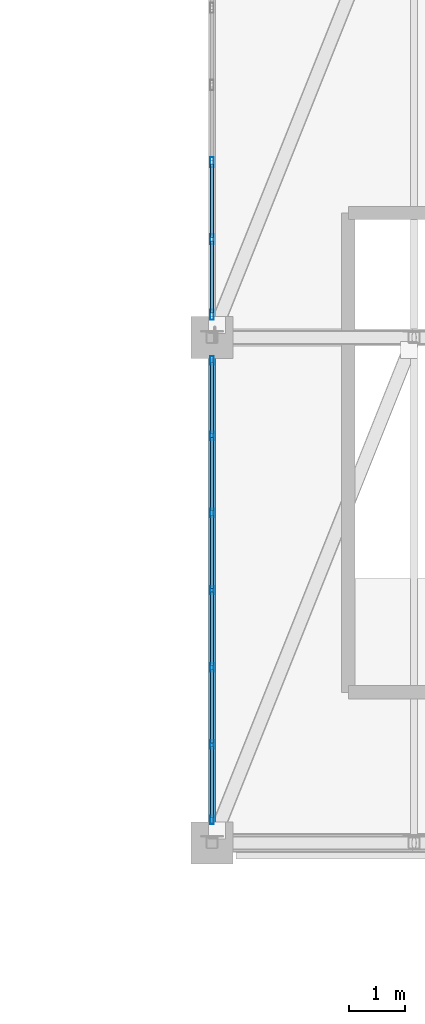
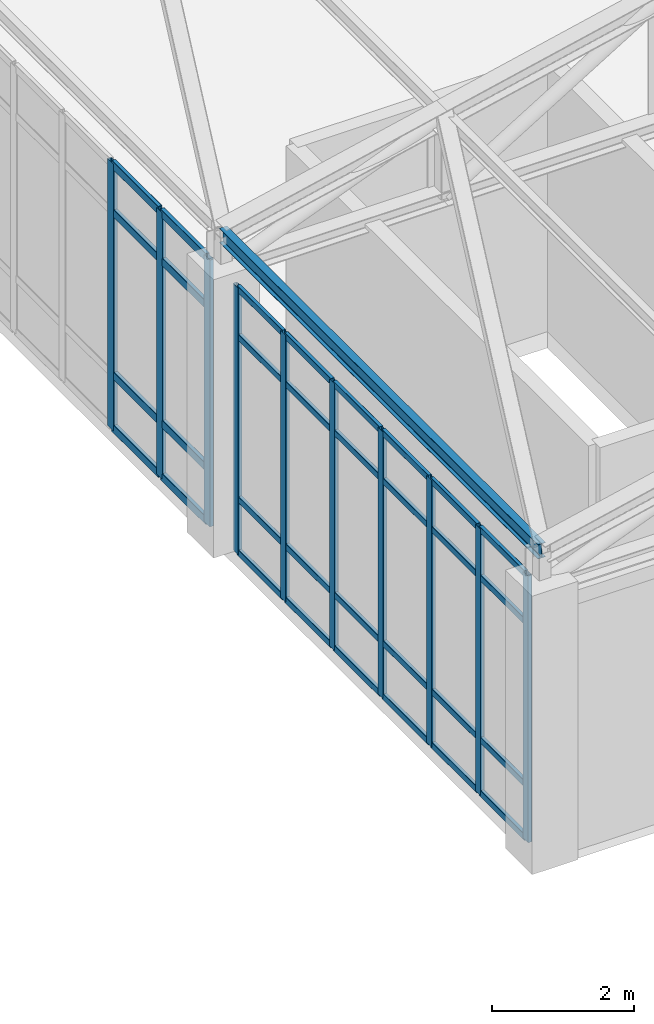
# One storey, part 17 of 139: 43 members, 2 elements without a shape of their own.
"""IFC4 building model written with IfcOpenShell, lengths in metres."""

from ifc_helpers import new_model, si_unit, direction, frame, origin, origin_2d, place, context, subcontext, project, spatial, hollow_rectangle, i_section, extrude, material, material_profile, profile_set, type_object, element, aggregate, save


model = new_model("IFC4")

# Units and contexts
model_context = context("Model", 3, precision=1e-05, world=origin(), true_north=direction((0.0, 1.0)))
body_context = subcontext(model_context, "Body", "Model", "MODEL_VIEW")
ifc_project = project(units=[si_unit("LENGTHUNIT", "METRE"), si_unit("AREAUNIT", "SQUARE_METRE"), si_unit("VOLUMEUNIT", "CUBIC_METRE"), si_unit("PLANEANGLEUNIT", "RADIAN"), si_unit("MASSUNIT", "GRAM", prefix="KILO")], contexts=[model_context])

# Site, building, storey
site_placement = place(None, origin())
site = spatial("IfcSite", under=ifc_project, at=site_placement, CompositionType="ELEMENT")
building_placement = place(site_placement, origin())
building = spatial("IfcBuilding", under=site, at=building_placement, Name="Canglan Escarpment Cableway Terminal", CompositionType="ELEMENT")
storey_placement = place(building_placement, frame((0.0, 0.0, 14.39990234375)))
storey = spatial("IfcBuildingStorey", under=building, at=storey_placement, Name="L03", CompositionType="ELEMENT", Elevation=14.39990234375)

# Curtain wall, members
ifc_material_1 = material(Name="Anodized bronze aluminium and Low-E double glazing", Category="aluminium")
curtain_wall_type = type_object("IfcCurtainWallType", Name="CW-BAY-8250x4600", PredefinedType="NOTDEFINED", material=ifc_material_1)
curtain_wall_1_placement = place(storey_placement, origin())
curtain_wall_1 = element("IfcCurtainWall", 1, at=curtain_wall_1_placement, inside=storey, type_object=curtain_wall_type, Name="Classical bay-between-piers glazed curtain wall CW-46", PredefinedType="NOTDEFINED")
ifc_material_2 = material(Name="Thermally broken anodized aluminium 6063-T6", Category="aluminium")
ifc_material_profile_1 = material_profile(ifc_material_2, hollow_rectangle(XDim=0.06494140625, YDim=0.14990234375, WallThickness=0.00341796875, InnerFilletRadius=0.00341796875, OuterFilletRadius=0.007080078125, at=origin_2d()), Name="ALU-MULL 65x150x3.5")
ifc_profile_set_1 = profile_set([ifc_material_profile_1], Name="Thermally broken anodized aluminium 6063-T6")
member_type_1 = type_object("IfcMemberType", Name="CWM-02", PredefinedType="MULLION", material=ifc_profile_set_1)
member_1_placement = place(storey_placement, frame((115.10009765625, 51.592529296875, 0.0), z_axis=(0.0, 0.0, 1.0), x_axis=(1.0, 0.0, 0.0)))
member_1 = element("IfcMember", 2, at=member_1_placement, type_object=member_type_1, Name="CW-46 mullion 1", PredefinedType="MULLION", context=body_context, shape_type="SweptSolid", body=[
    extrude(hollow_rectangle(XDim=0.06494140625, YDim=0.14990234375, WallThickness=0.00341796875, InnerFilletRadius=0.00341796875, OuterFilletRadius=0.007080078125, at=origin_2d()), origin(), (0.0, 0.0, 1.0), 4.60009765625),
])
member_2_placement = place(storey_placement, frame((115.10009765625, 50.25, 0.0), z_axis=(0.0, 0.0, 1.0), x_axis=(1.0, 0.0, 0.0)))
member_2 = element("IfcMember", 3, at=member_2_placement, type_object=member_type_1, Name="CW-46 mullion 2", PredefinedType="MULLION", context=body_context, shape_type="SweptSolid", body=[
    extrude(hollow_rectangle(XDim=0.06494140625, YDim=0.14990234375, WallThickness=0.00341796875, InnerFilletRadius=0.00341796875, OuterFilletRadius=0.007080078125, at=origin_2d()), origin(), (0.0, 0.0, 1.0), 4.60009765625),
])
member_3_placement = place(storey_placement, frame((115.10009765625, 48.875, 0.0), z_axis=(0.0, 0.0, 1.0), x_axis=(1.0, 0.0, 0.0)))
member_3 = element("IfcMember", 4, at=member_3_placement, type_object=member_type_1, Name="CW-46 mullion 3", PredefinedType="MULLION", context=body_context, shape_type="SweptSolid", body=[
    extrude(hollow_rectangle(XDim=0.06494140625, YDim=0.14990234375, WallThickness=0.00341796875, InnerFilletRadius=0.00341796875, OuterFilletRadius=0.007080078125, at=origin_2d()), origin(), (0.0, 0.0, 1.0), 4.60009765625),
])
member_4_placement = place(storey_placement, frame((115.10009765625, 47.5, 0.0), z_axis=(0.0, 0.0, 1.0), x_axis=(1.0, 0.0, 0.0)))
member_4 = element("IfcMember", 5, at=member_4_placement, type_object=member_type_1, Name="CW-46 mullion 4", PredefinedType="MULLION", context=body_context, shape_type="SweptSolid", body=[
    extrude(hollow_rectangle(XDim=0.06494140625, YDim=0.14990234375, WallThickness=0.00341796875, InnerFilletRadius=0.00341796875, OuterFilletRadius=0.007080078125, at=origin_2d()), origin(), (0.0, 0.0, 1.0), 4.60009765625),
])
member_5_placement = place(storey_placement, frame((115.10009765625, 46.125, 0.0), z_axis=(0.0, 0.0, 1.0), x_axis=(1.0, 0.0, 0.0)))
member_5 = element("IfcMember", 6, at=member_5_placement, type_object=member_type_1, Name="CW-46 mullion 5", PredefinedType="MULLION", context=body_context, shape_type="SweptSolid", body=[
    extrude(hollow_rectangle(XDim=0.06494140625, YDim=0.14990234375, WallThickness=0.00341796875, InnerFilletRadius=0.00341796875, OuterFilletRadius=0.007080078125, at=origin_2d()), origin(), (0.0, 0.0, 1.0), 4.60009765625),
])
member_6_placement = place(storey_placement, frame((115.10009765625, 44.75, 0.0), z_axis=(0.0, 0.0, 1.0), x_axis=(1.0, 0.0, 0.0)))
member_6 = element("IfcMember", 7, at=member_6_placement, type_object=member_type_1, Name="CW-46 mullion 6", PredefinedType="MULLION", context=body_context, shape_type="SweptSolid", body=[
    extrude(hollow_rectangle(XDim=0.06494140625, YDim=0.14990234375, WallThickness=0.00341796875, InnerFilletRadius=0.00341796875, OuterFilletRadius=0.007080078125, at=origin_2d()), origin(), (0.0, 0.0, 1.0), 4.60009765625),
])
member_7_placement = place(storey_placement, frame((115.10009765625, 43.407470703125, 0.0), z_axis=(0.0, 0.0, 1.0), x_axis=(1.0, 0.0, 0.0)))
member_7 = element("IfcMember", 8, at=member_7_placement, type_object=member_type_1, Name="CW-46 mullion 7", PredefinedType="MULLION", context=body_context, shape_type="SweptSolid", body=[
    extrude(hollow_rectangle(XDim=0.06494140625, YDim=0.14990234375, WallThickness=0.00341796875, InnerFilletRadius=0.00341796875, OuterFilletRadius=0.007080078125, at=origin_2d()), origin(), (0.0, 0.0, 1.0), 4.60009765625),
])

curtain_wall_2_placement = place(storey_placement, origin())
curtain_wall_2 = element("IfcCurtainWall", 9, at=curtain_wall_2_placement, inside=storey, type_object=curtain_wall_type, Name="Classical bay-between-piers glazed curtain wall CW-46", PredefinedType="NOTDEFINED")
ifc_material_profile_2 = material_profile(ifc_material_2, hollow_rectangle(XDim=0.06494140625, YDim=0.179931640625, WallThickness=0.00390625, InnerFilletRadius=0.00390625, OuterFilletRadius=0.008056640625, at=origin_2d()), Name="ALU-MULL 65x180x4")
ifc_profile_set_2 = profile_set([ifc_material_profile_2], Name="Thermally broken anodized aluminium 6063-T6")
member_type_2 = type_object("IfcMemberType", Name="CWM-03", PredefinedType="MULLION", material=ifc_profile_set_2)
member_8_placement = place(storey_placement, frame((115.10009765625, 55.125, 0.0), z_axis=(0.0, 0.0, 1.0), x_axis=(1.0, 0.0, 0.0)))
member_8 = element("IfcMember", 10, at=member_8_placement, type_object=member_type_2, Name="CW-46 mullion 5", PredefinedType="MULLION", context=body_context, shape_type="SweptSolid", body=[
    extrude(hollow_rectangle(XDim=0.06494140625, YDim=0.179931640625, WallThickness=0.00390625, InnerFilletRadius=0.00390625, OuterFilletRadius=0.008056640625, at=origin_2d()), origin(), (0.0, 0.0, 1.0), 4.60009765625),
])
member_9_placement = place(storey_placement, frame((115.10009765625, 53.75, 0.0), z_axis=(0.0, 0.0, 1.0), x_axis=(1.0, 0.0, 0.0)))
member_9 = element("IfcMember", 11, at=member_9_placement, type_object=member_type_2, Name="CW-46 mullion 6", PredefinedType="MULLION", context=body_context, shape_type="SweptSolid", body=[
    extrude(hollow_rectangle(XDim=0.06494140625, YDim=0.179931640625, WallThickness=0.00390625, InnerFilletRadius=0.00390625, OuterFilletRadius=0.008056640625, at=origin_2d()), origin(), (0.0, 0.0, 1.0), 4.60009765625),
])
member_10_placement = place(storey_placement, frame((115.10009765625, 52.407470703125, 0.0), z_axis=(0.0, 0.0, 1.0), x_axis=(1.0, 0.0, 0.0)))
member_10 = element("IfcMember", 12, at=member_10_placement, type_object=member_type_2, Name="CW-46 mullion 7", PredefinedType="MULLION", context=body_context, shape_type="SweptSolid", body=[
    extrude(hollow_rectangle(XDim=0.06494140625, YDim=0.179931640625, WallThickness=0.00390625, InnerFilletRadius=0.00390625, OuterFilletRadius=0.008056640625, at=origin_2d()), origin(), (0.0, 0.0, 1.0), 4.60009765625),
])

# Member
ifc_material_profile_3 = material_profile(ifc_material_2, hollow_rectangle(XDim=0.06005859375, YDim=0.110107421875, WallThickness=0.0029296875, InnerFilletRadius=0.0029296875, OuterFilletRadius=0.006103515625, at=origin_2d()), Name="ALU-TRAN 60x110x3")
ifc_profile_set_3 = profile_set([ifc_material_profile_3], Name="Thermally broken anodized aluminium 6063-T6")
member_type_3 = type_object("IfcMemberType", Name="CWT-02", PredefinedType="USERDEFINED", material=ifc_profile_set_3)
member_11_placement = place(storey_placement, frame((115.10009765625, 51.56005859375, 0.030029296875), z_axis=(0.0, -1.0, 0.0), x_axis=(1.0, 0.0, 0.0)))
member_11 = element("IfcMember", 13, at=member_11_placement, type_object=member_type_3, Name="CW-46 transom 1.1", ObjectType="TRANSOM", PredefinedType="USERDEFINED", context=body_context, shape_type="SweptSolid", body=[
    extrude(hollow_rectangle(XDim=0.06005859375, YDim=0.110107421875, WallThickness=0.0029296875, InnerFilletRadius=0.0029296875, OuterFilletRadius=0.006103515625, at=origin_2d()), origin(), (0.0, 0.0, 1.0), 1.277587890625),
])

member_12_placement = place(storey_placement, frame((115.10009765625, 51.56005859375, 0.9501953125), z_axis=(0.0, -1.0, 0.0), x_axis=(1.0, 0.0, 0.0)))
member_12 = element("IfcMember", 14, at=member_12_placement, type_object=member_type_3, Name="CW-46 transom 1.2", ObjectType="TRANSOM", PredefinedType="USERDEFINED", context=body_context, shape_type="SweptSolid", body=[
    extrude(hollow_rectangle(XDim=0.06005859375, YDim=0.110107421875, WallThickness=0.0029296875, InnerFilletRadius=0.0029296875, OuterFilletRadius=0.006103515625, at=origin_2d()), origin(), (0.0, 0.0, 1.0), 1.277587890625),
])

member_13_placement = place(storey_placement, frame((115.10009765625, 51.56005859375, 3.75), z_axis=(0.0, -1.0, 0.0), x_axis=(1.0, 0.0, 0.0)))
member_13 = element("IfcMember", 15, at=member_13_placement, type_object=member_type_3, Name="CW-46 transom 1.3", ObjectType="TRANSOM", PredefinedType="USERDEFINED", context=body_context, shape_type="SweptSolid", body=[
    extrude(hollow_rectangle(XDim=0.06005859375, YDim=0.110107421875, WallThickness=0.0029296875, InnerFilletRadius=0.0029296875, OuterFilletRadius=0.006103515625, at=origin_2d()), origin(), (0.0, 0.0, 1.0), 1.277587890625),
])

member_14_placement = place(storey_placement, frame((115.10009765625, 51.56005859375, 4.570068359375), z_axis=(0.0, -1.0, 0.0), x_axis=(1.0, 0.0, 0.0)))
member_14 = element("IfcMember", 16, at=member_14_placement, type_object=member_type_3, Name="CW-46 transom 1.4", ObjectType="TRANSOM", PredefinedType="USERDEFINED", context=body_context, shape_type="SweptSolid", body=[
    extrude(hollow_rectangle(XDim=0.06005859375, YDim=0.110107421875, WallThickness=0.0029296875, InnerFilletRadius=0.0029296875, OuterFilletRadius=0.006103515625, at=origin_2d()), origin(), (0.0, 0.0, 1.0), 1.277587890625),
])

member_15_placement = place(storey_placement, frame((115.10009765625, 50.217529296875, 0.030029296875), z_axis=(0.0, -1.0, 0.0), x_axis=(1.0, 0.0, 0.0)))
member_15 = element("IfcMember", 17, at=member_15_placement, type_object=member_type_3, Name="CW-46 transom 2.1", ObjectType="TRANSOM", PredefinedType="USERDEFINED", context=body_context, shape_type="SweptSolid", body=[
    extrude(hollow_rectangle(XDim=0.06005859375, YDim=0.110107421875, WallThickness=0.0029296875, InnerFilletRadius=0.0029296875, OuterFilletRadius=0.006103515625, at=origin_2d()), origin(), (0.0, 0.0, 1.0), 1.31005859375),
])

member_16_placement = place(storey_placement, frame((115.10009765625, 50.217529296875, 0.9501953125), z_axis=(0.0, -1.0, 0.0), x_axis=(1.0, 0.0, 0.0)))
member_16 = element("IfcMember", 18, at=member_16_placement, type_object=member_type_3, Name="CW-46 transom 2.2", ObjectType="TRANSOM", PredefinedType="USERDEFINED", context=body_context, shape_type="SweptSolid", body=[
    extrude(hollow_rectangle(XDim=0.06005859375, YDim=0.110107421875, WallThickness=0.0029296875, InnerFilletRadius=0.0029296875, OuterFilletRadius=0.006103515625, at=origin_2d()), origin(), (0.0, 0.0, 1.0), 1.31005859375),
])

member_17_placement = place(storey_placement, frame((115.10009765625, 50.217529296875, 3.75), z_axis=(0.0, -1.0, 0.0), x_axis=(1.0, 0.0, 0.0)))
member_17 = element("IfcMember", 19, at=member_17_placement, type_object=member_type_3, Name="CW-46 transom 2.3", ObjectType="TRANSOM", PredefinedType="USERDEFINED", context=body_context, shape_type="SweptSolid", body=[
    extrude(hollow_rectangle(XDim=0.06005859375, YDim=0.110107421875, WallThickness=0.0029296875, InnerFilletRadius=0.0029296875, OuterFilletRadius=0.006103515625, at=origin_2d()), origin(), (0.0, 0.0, 1.0), 1.31005859375),
])

member_18_placement = place(storey_placement, frame((115.10009765625, 50.217529296875, 4.570068359375), z_axis=(0.0, -1.0, 0.0), x_axis=(1.0, 0.0, 0.0)))
member_18 = element("IfcMember", 20, at=member_18_placement, type_object=member_type_3, Name="CW-46 transom 2.4", ObjectType="TRANSOM", PredefinedType="USERDEFINED", context=body_context, shape_type="SweptSolid", body=[
    extrude(hollow_rectangle(XDim=0.06005859375, YDim=0.110107421875, WallThickness=0.0029296875, InnerFilletRadius=0.0029296875, OuterFilletRadius=0.006103515625, at=origin_2d()), origin(), (0.0, 0.0, 1.0), 1.31005859375),
])

member_19_placement = place(storey_placement, frame((115.10009765625, 48.842529296875, 0.030029296875), z_axis=(0.0, -1.0, 0.0), x_axis=(1.0, 0.0, 0.0)))
member_19 = element("IfcMember", 21, at=member_19_placement, type_object=member_type_3, Name="CW-46 transom 3.1", ObjectType="TRANSOM", PredefinedType="USERDEFINED", context=body_context, shape_type="SweptSolid", body=[
    extrude(hollow_rectangle(XDim=0.06005859375, YDim=0.110107421875, WallThickness=0.0029296875, InnerFilletRadius=0.0029296875, OuterFilletRadius=0.006103515625, at=origin_2d()), origin(), (0.0, 0.0, 1.0), 1.31005859375),
])

member_20_placement = place(storey_placement, frame((115.10009765625, 48.842529296875, 0.9501953125), z_axis=(0.0, -1.0, 0.0), x_axis=(1.0, 0.0, 0.0)))
member_20 = element("IfcMember", 22, at=member_20_placement, type_object=member_type_3, Name="CW-46 transom 3.2", ObjectType="TRANSOM", PredefinedType="USERDEFINED", context=body_context, shape_type="SweptSolid", body=[
    extrude(hollow_rectangle(XDim=0.06005859375, YDim=0.110107421875, WallThickness=0.0029296875, InnerFilletRadius=0.0029296875, OuterFilletRadius=0.006103515625, at=origin_2d()), origin(), (0.0, 0.0, 1.0), 1.31005859375),
])

member_21_placement = place(storey_placement, frame((115.10009765625, 48.842529296875, 3.75), z_axis=(0.0, -1.0, 0.0), x_axis=(1.0, 0.0, 0.0)))
member_21 = element("IfcMember", 23, at=member_21_placement, type_object=member_type_3, Name="CW-46 transom 3.3", ObjectType="TRANSOM", PredefinedType="USERDEFINED", context=body_context, shape_type="SweptSolid", body=[
    extrude(hollow_rectangle(XDim=0.06005859375, YDim=0.110107421875, WallThickness=0.0029296875, InnerFilletRadius=0.0029296875, OuterFilletRadius=0.006103515625, at=origin_2d()), origin(), (0.0, 0.0, 1.0), 1.31005859375),
])

member_22_placement = place(storey_placement, frame((115.10009765625, 48.842529296875, 4.570068359375), z_axis=(0.0, -1.0, 0.0), x_axis=(1.0, 0.0, 0.0)))
member_22 = element("IfcMember", 24, at=member_22_placement, type_object=member_type_3, Name="CW-46 transom 3.4", ObjectType="TRANSOM", PredefinedType="USERDEFINED", context=body_context, shape_type="SweptSolid", body=[
    extrude(hollow_rectangle(XDim=0.06005859375, YDim=0.110107421875, WallThickness=0.0029296875, InnerFilletRadius=0.0029296875, OuterFilletRadius=0.006103515625, at=origin_2d()), origin(), (0.0, 0.0, 1.0), 1.31005859375),
])

member_23_placement = place(storey_placement, frame((115.10009765625, 47.467529296875, 0.030029296875), z_axis=(0.0, -1.0, 0.0), x_axis=(1.0, 0.0, 0.0)))
member_23 = element("IfcMember", 25, at=member_23_placement, type_object=member_type_3, Name="CW-46 transom 4.1", ObjectType="TRANSOM", PredefinedType="USERDEFINED", context=body_context, shape_type="SweptSolid", body=[
    extrude(hollow_rectangle(XDim=0.06005859375, YDim=0.110107421875, WallThickness=0.0029296875, InnerFilletRadius=0.0029296875, OuterFilletRadius=0.006103515625, at=origin_2d()), origin(), (0.0, 0.0, 1.0), 1.31005859375),
])

member_24_placement = place(storey_placement, frame((115.10009765625, 47.467529296875, 0.9501953125), z_axis=(0.0, -1.0, 0.0), x_axis=(1.0, 0.0, 0.0)))
member_24 = element("IfcMember", 26, at=member_24_placement, type_object=member_type_3, Name="CW-46 transom 4.2", ObjectType="TRANSOM", PredefinedType="USERDEFINED", context=body_context, shape_type="SweptSolid", body=[
    extrude(hollow_rectangle(XDim=0.06005859375, YDim=0.110107421875, WallThickness=0.0029296875, InnerFilletRadius=0.0029296875, OuterFilletRadius=0.006103515625, at=origin_2d()), origin(), (0.0, 0.0, 1.0), 1.31005859375),
])

member_25_placement = place(storey_placement, frame((115.10009765625, 47.467529296875, 3.75), z_axis=(0.0, -1.0, 0.0), x_axis=(1.0, 0.0, 0.0)))
member_25 = element("IfcMember", 27, at=member_25_placement, type_object=member_type_3, Name="CW-46 transom 4.3", ObjectType="TRANSOM", PredefinedType="USERDEFINED", context=body_context, shape_type="SweptSolid", body=[
    extrude(hollow_rectangle(XDim=0.06005859375, YDim=0.110107421875, WallThickness=0.0029296875, InnerFilletRadius=0.0029296875, OuterFilletRadius=0.006103515625, at=origin_2d()), origin(), (0.0, 0.0, 1.0), 1.31005859375),
])

member_26_placement = place(storey_placement, frame((115.10009765625, 47.467529296875, 4.570068359375), z_axis=(0.0, -1.0, 0.0), x_axis=(1.0, 0.0, 0.0)))
member_26 = element("IfcMember", 28, at=member_26_placement, type_object=member_type_3, Name="CW-46 transom 4.4", ObjectType="TRANSOM", PredefinedType="USERDEFINED", context=body_context, shape_type="SweptSolid", body=[
    extrude(hollow_rectangle(XDim=0.06005859375, YDim=0.110107421875, WallThickness=0.0029296875, InnerFilletRadius=0.0029296875, OuterFilletRadius=0.006103515625, at=origin_2d()), origin(), (0.0, 0.0, 1.0), 1.31005859375),
])

member_27_placement = place(storey_placement, frame((115.10009765625, 46.092529296875, 0.030029296875), z_axis=(0.0, -1.0, 0.0), x_axis=(1.0, 0.0, 0.0)))
member_27 = element("IfcMember", 29, at=member_27_placement, type_object=member_type_3, Name="CW-46 transom 5.1", ObjectType="TRANSOM", PredefinedType="USERDEFINED", context=body_context, shape_type="SweptSolid", body=[
    extrude(hollow_rectangle(XDim=0.06005859375, YDim=0.110107421875, WallThickness=0.0029296875, InnerFilletRadius=0.0029296875, OuterFilletRadius=0.006103515625, at=origin_2d()), origin(), (0.0, 0.0, 1.0), 1.31005859375),
])

member_28_placement = place(storey_placement, frame((115.10009765625, 46.092529296875, 0.9501953125), z_axis=(0.0, -1.0, 0.0), x_axis=(1.0, 0.0, 0.0)))
member_28 = element("IfcMember", 30, at=member_28_placement, type_object=member_type_3, Name="CW-46 transom 5.2", ObjectType="TRANSOM", PredefinedType="USERDEFINED", context=body_context, shape_type="SweptSolid", body=[
    extrude(hollow_rectangle(XDim=0.06005859375, YDim=0.110107421875, WallThickness=0.0029296875, InnerFilletRadius=0.0029296875, OuterFilletRadius=0.006103515625, at=origin_2d()), origin(), (0.0, 0.0, 1.0), 1.31005859375),
])

member_29_placement = place(storey_placement, frame((115.10009765625, 46.092529296875, 3.75), z_axis=(0.0, -1.0, 0.0), x_axis=(1.0, 0.0, 0.0)))
member_29 = element("IfcMember", 31, at=member_29_placement, type_object=member_type_3, Name="CW-46 transom 5.3", ObjectType="TRANSOM", PredefinedType="USERDEFINED", context=body_context, shape_type="SweptSolid", body=[
    extrude(hollow_rectangle(XDim=0.06005859375, YDim=0.110107421875, WallThickness=0.0029296875, InnerFilletRadius=0.0029296875, OuterFilletRadius=0.006103515625, at=origin_2d()), origin(), (0.0, 0.0, 1.0), 1.31005859375),
])

member_30_placement = place(storey_placement, frame((115.10009765625, 46.092529296875, 4.570068359375), z_axis=(0.0, -1.0, 0.0), x_axis=(1.0, 0.0, 0.0)))
member_30 = element("IfcMember", 32, at=member_30_placement, type_object=member_type_3, Name="CW-46 transom 5.4", ObjectType="TRANSOM", PredefinedType="USERDEFINED", context=body_context, shape_type="SweptSolid", body=[
    extrude(hollow_rectangle(XDim=0.06005859375, YDim=0.110107421875, WallThickness=0.0029296875, InnerFilletRadius=0.0029296875, OuterFilletRadius=0.006103515625, at=origin_2d()), origin(), (0.0, 0.0, 1.0), 1.31005859375),
])

member_31_placement = place(storey_placement, frame((115.10009765625, 44.717529296875, 0.030029296875), z_axis=(0.0, -1.0, 0.0), x_axis=(1.0, 0.0, 0.0)))
member_31 = element("IfcMember", 33, at=member_31_placement, type_object=member_type_3, Name="CW-46 transom 6.1", ObjectType="TRANSOM", PredefinedType="USERDEFINED", context=body_context, shape_type="SweptSolid", body=[
    extrude(hollow_rectangle(XDim=0.06005859375, YDim=0.110107421875, WallThickness=0.0029296875, InnerFilletRadius=0.0029296875, OuterFilletRadius=0.006103515625, at=origin_2d()), origin(), (0.0, 0.0, 1.0), 1.277587890625),
])

member_32_placement = place(storey_placement, frame((115.10009765625, 44.717529296875, 0.9501953125), z_axis=(0.0, -1.0, 0.0), x_axis=(1.0, 0.0, 0.0)))
member_32 = element("IfcMember", 34, at=member_32_placement, type_object=member_type_3, Name="CW-46 transom 6.2", ObjectType="TRANSOM", PredefinedType="USERDEFINED", context=body_context, shape_type="SweptSolid", body=[
    extrude(hollow_rectangle(XDim=0.06005859375, YDim=0.110107421875, WallThickness=0.0029296875, InnerFilletRadius=0.0029296875, OuterFilletRadius=0.006103515625, at=origin_2d()), origin(), (0.0, 0.0, 1.0), 1.277587890625),
])

member_33_placement = place(storey_placement, frame((115.10009765625, 44.717529296875, 3.75), z_axis=(0.0, -1.0, 0.0), x_axis=(1.0, 0.0, 0.0)))
member_33 = element("IfcMember", 35, at=member_33_placement, type_object=member_type_3, Name="CW-46 transom 6.3", ObjectType="TRANSOM", PredefinedType="USERDEFINED", context=body_context, shape_type="SweptSolid", body=[
    extrude(hollow_rectangle(XDim=0.06005859375, YDim=0.110107421875, WallThickness=0.0029296875, InnerFilletRadius=0.0029296875, OuterFilletRadius=0.006103515625, at=origin_2d()), origin(), (0.0, 0.0, 1.0), 1.277587890625),
])

member_34_placement = place(storey_placement, frame((115.10009765625, 44.717529296875, 4.570068359375), z_axis=(0.0, -1.0, 0.0), x_axis=(1.0, 0.0, 0.0)))
member_34 = element("IfcMember", 36, at=member_34_placement, type_object=member_type_3, Name="CW-46 transom 6.4", ObjectType="TRANSOM", PredefinedType="USERDEFINED", context=body_context, shape_type="SweptSolid", body=[
    extrude(hollow_rectangle(XDim=0.06005859375, YDim=0.110107421875, WallThickness=0.0029296875, InnerFilletRadius=0.0029296875, OuterFilletRadius=0.006103515625, at=origin_2d()), origin(), (0.0, 0.0, 1.0), 1.277587890625),
])

aggregate(curtain_wall_1, [member_1, member_2, member_3, member_4, member_5, member_6, member_7, member_11, member_12, member_13, member_14, member_15, member_16, member_17, member_18, member_19, member_20, member_21, member_22, member_23, member_24, member_25, member_26, member_27, member_28, member_29, member_30, member_31, member_32, member_33, member_34])

ifc_material_profile_4 = material_profile(ifc_material_2, hollow_rectangle(XDim=0.06494140625, YDim=0.139892578125, WallThickness=0.00341796875, InnerFilletRadius=0.00341796875, OuterFilletRadius=0.007080078125, at=origin_2d()), Name="ALU-TRAN 65x140x3.5")
ifc_profile_set_4 = profile_set([ifc_material_profile_4], Name="Thermally broken anodized aluminium 6063-T6")
member_type_4 = type_object("IfcMemberType", Name="CWT-03", PredefinedType="USERDEFINED", material=ifc_profile_set_4)
member_35_placement = place(storey_placement, frame((115.10009765625, 55.092529296875, 0.03271484375), z_axis=(0.0, -1.0, 0.0), x_axis=(1.0, 0.0, 0.0)))
member_35 = element("IfcMember", 37, at=member_35_placement, type_object=member_type_4, Name="CW-46 transom 5.1", ObjectType="TRANSOM", PredefinedType="USERDEFINED", context=body_context, shape_type="SweptSolid", body=[
    extrude(hollow_rectangle(XDim=0.06494140625, YDim=0.139892578125, WallThickness=0.00341796875, InnerFilletRadius=0.00341796875, OuterFilletRadius=0.007080078125, at=origin_2d()), origin(), (0.0, 0.0, 1.0), 1.31005859375),
])

member_36_placement = place(storey_placement, frame((115.10009765625, 55.092529296875, 0.9501953125), z_axis=(0.0, -1.0, 0.0), x_axis=(1.0, 0.0, 0.0)))
member_36 = element("IfcMember", 38, at=member_36_placement, type_object=member_type_4, Name="CW-46 transom 5.2", ObjectType="TRANSOM", PredefinedType="USERDEFINED", context=body_context, shape_type="SweptSolid", body=[
    extrude(hollow_rectangle(XDim=0.06494140625, YDim=0.139892578125, WallThickness=0.00341796875, InnerFilletRadius=0.00341796875, OuterFilletRadius=0.007080078125, at=origin_2d()), origin(), (0.0, 0.0, 1.0), 1.31005859375),
])

member_37_placement = place(storey_placement, frame((115.10009765625, 55.092529296875, 3.75), z_axis=(0.0, -1.0, 0.0), x_axis=(1.0, 0.0, 0.0)))
member_37 = element("IfcMember", 39, at=member_37_placement, type_object=member_type_4, Name="CW-46 transom 5.3", ObjectType="TRANSOM", PredefinedType="USERDEFINED", context=body_context, shape_type="SweptSolid", body=[
    extrude(hollow_rectangle(XDim=0.06494140625, YDim=0.139892578125, WallThickness=0.00341796875, InnerFilletRadius=0.00341796875, OuterFilletRadius=0.007080078125, at=origin_2d()), origin(), (0.0, 0.0, 1.0), 1.31005859375),
])

member_38_placement = place(storey_placement, frame((115.10009765625, 55.092529296875, 4.567626953125), z_axis=(0.0, -1.0, 0.0), x_axis=(1.0, 0.0, 0.0)))
member_38 = element("IfcMember", 40, at=member_38_placement, type_object=member_type_4, Name="CW-46 transom 5.4", ObjectType="TRANSOM", PredefinedType="USERDEFINED", context=body_context, shape_type="SweptSolid", body=[
    extrude(hollow_rectangle(XDim=0.06494140625, YDim=0.139892578125, WallThickness=0.00341796875, InnerFilletRadius=0.00341796875, OuterFilletRadius=0.007080078125, at=origin_2d()), origin(), (0.0, 0.0, 1.0), 1.31005859375),
])

member_39_placement = place(storey_placement, frame((115.10009765625, 53.717529296875, 0.03271484375), z_axis=(0.0, -1.0, 0.0), x_axis=(1.0, 0.0, 0.0)))
member_39 = element("IfcMember", 41, at=member_39_placement, type_object=member_type_4, Name="CW-46 transom 6.1", ObjectType="TRANSOM", PredefinedType="USERDEFINED", context=body_context, shape_type="SweptSolid", body=[
    extrude(hollow_rectangle(XDim=0.06494140625, YDim=0.139892578125, WallThickness=0.00341796875, InnerFilletRadius=0.00341796875, OuterFilletRadius=0.007080078125, at=origin_2d()), origin(), (0.0, 0.0, 1.0), 1.277587890625),
])

member_40_placement = place(storey_placement, frame((115.10009765625, 53.717529296875, 0.9501953125), z_axis=(0.0, -1.0, 0.0), x_axis=(1.0, 0.0, 0.0)))
member_40 = element("IfcMember", 42, at=member_40_placement, type_object=member_type_4, Name="CW-46 transom 6.2", ObjectType="TRANSOM", PredefinedType="USERDEFINED", context=body_context, shape_type="SweptSolid", body=[
    extrude(hollow_rectangle(XDim=0.06494140625, YDim=0.139892578125, WallThickness=0.00341796875, InnerFilletRadius=0.00341796875, OuterFilletRadius=0.007080078125, at=origin_2d()), origin(), (0.0, 0.0, 1.0), 1.277587890625),
])

member_41_placement = place(storey_placement, frame((115.10009765625, 53.717529296875, 3.75), z_axis=(0.0, -1.0, 0.0), x_axis=(1.0, 0.0, 0.0)))
member_41 = element("IfcMember", 43, at=member_41_placement, type_object=member_type_4, Name="CW-46 transom 6.3", ObjectType="TRANSOM", PredefinedType="USERDEFINED", context=body_context, shape_type="SweptSolid", body=[
    extrude(hollow_rectangle(XDim=0.06494140625, YDim=0.139892578125, WallThickness=0.00341796875, InnerFilletRadius=0.00341796875, OuterFilletRadius=0.007080078125, at=origin_2d()), origin(), (0.0, 0.0, 1.0), 1.277587890625),
])

member_42_placement = place(storey_placement, frame((115.10009765625, 53.717529296875, 4.567626953125), z_axis=(0.0, -1.0, 0.0), x_axis=(1.0, 0.0, 0.0)))
member_42 = element("IfcMember", 44, at=member_42_placement, type_object=member_type_4, Name="CW-46 transom 6.4", ObjectType="TRANSOM", PredefinedType="USERDEFINED", context=body_context, shape_type="SweptSolid", body=[
    extrude(hollow_rectangle(XDim=0.06494140625, YDim=0.139892578125, WallThickness=0.00341796875, InnerFilletRadius=0.00341796875, OuterFilletRadius=0.007080078125, at=origin_2d()), origin(), (0.0, 0.0, 1.0), 1.277587890625),
])

aggregate(curtain_wall_2, [member_8, member_9, member_10, member_35, member_36, member_37, member_38, member_39, member_40, member_41, member_42])

ifc_material_3 = material(Name="Steel Q355B", Category="steel")
ifc_material_profile_5 = material_profile(ifc_material_3, i_section(OverallWidth=0.125, OverallDepth=0.25, WebThickness=0.006103515625, FlangeThickness=0.009033203125, FilletRadius=0.011962890625, at=origin_2d()), Name="HN 250x125x6x9")
ifc_profile_set_5 = profile_set([ifc_material_profile_5], Name="Steel Q355B")
member_type_5 = type_object("IfcMemberType", Name="MB-GARAGE-PUR-HN250", PredefinedType="PURLIN", material=ifc_profile_set_5)
member_43_placement = place(storey_placement, frame((115.10009765625, 43.0, 5.22998046875), z_axis=(0.0, 1.0, 0.0), x_axis=(-1.0, 0.0, 0.0)))
element("IfcMember", 45, at=member_43_placement, inside=storey, type_object=member_type_5, Name="Cabin Garage roof purlin PR-02", PredefinedType="PURLIN", context=body_context, shape_type="SweptSolid", body=[
    extrude(i_section(OverallWidth=0.125, OverallDepth=0.25, WebThickness=0.006103515625, FlangeThickness=0.009033203125, FilletRadius=0.011962890625, at=origin_2d()), origin(), (0.0, 0.0, 1.0), 9.0),
])

save(model, "model.ifc")
